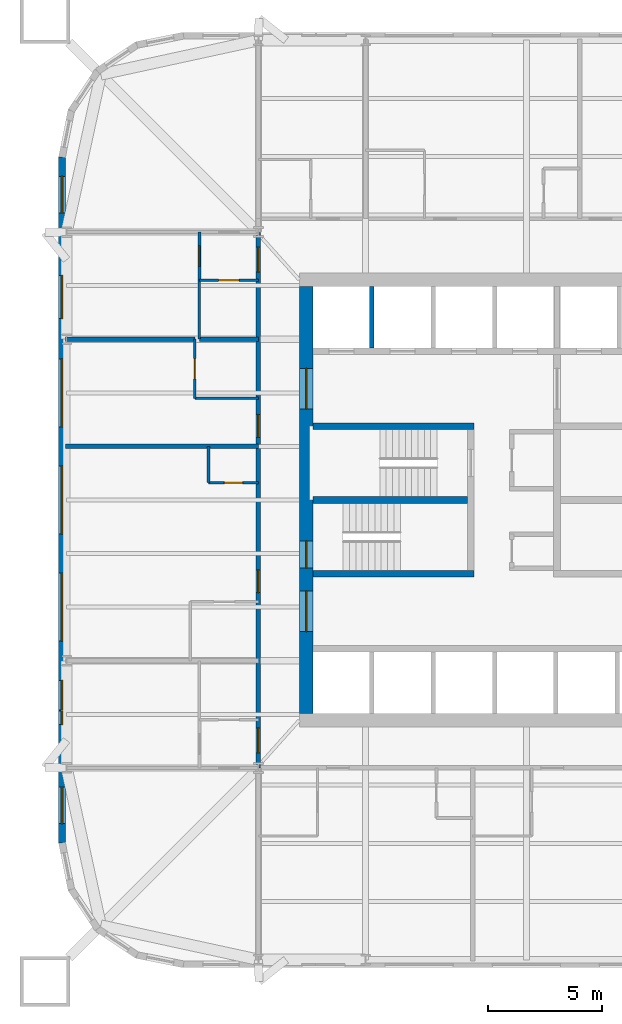
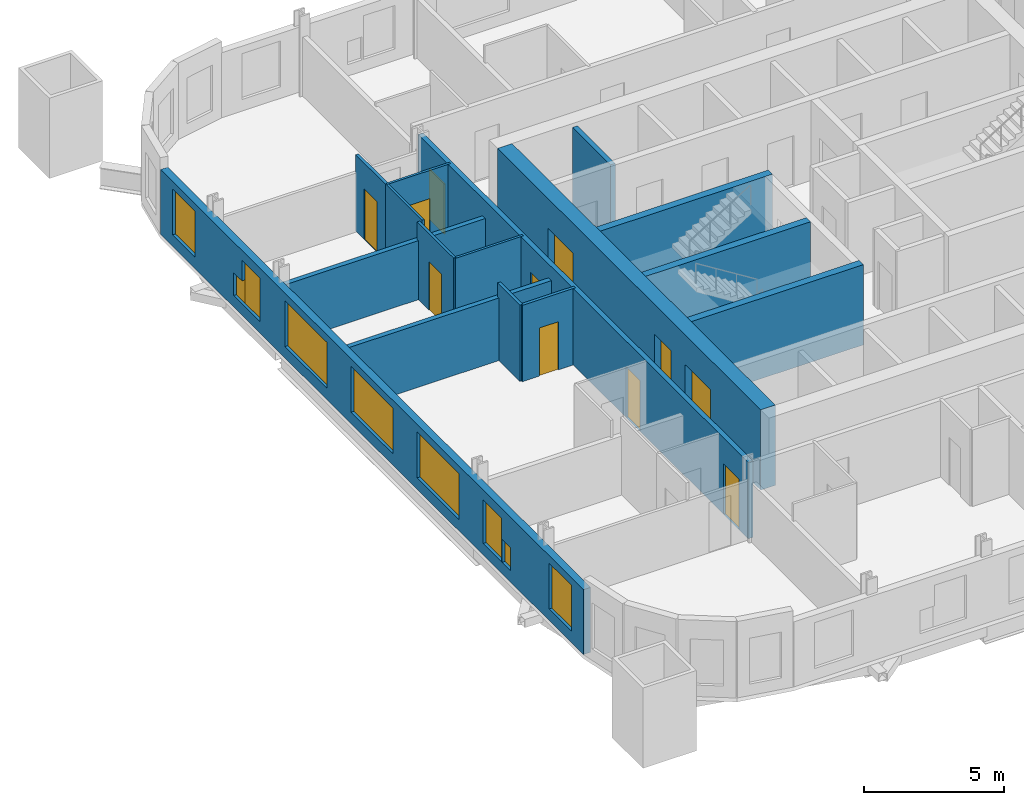
# One storey, part 4 of 9: 17 walls, 11 doors, 9 windows, 20 openings.
"""IFC4 building model written with IfcOpenShell, lengths in metres."""

from ifc_helpers import new_model, si_unit, direction, frame, frame_2d, origin, place, context, subcontext, project, spatial, rectangle, extrude, material, layer, layer_set, type_object, element, fill, save


model = new_model("IFC4")

# Units and contexts
model_context = context("Model", 3, precision=1e-05, world=origin(), true_north=direction((0.0, 1.0)))
body_context = subcontext(model_context, "Body", "Model", "MODEL_VIEW")
ifc_project = project(units=[si_unit("LENGTHUNIT", "METRE"), si_unit("AREAUNIT", "SQUARE_METRE"), si_unit("VOLUMEUNIT", "CUBIC_METRE"), si_unit("PLANEANGLEUNIT", "RADIAN"), si_unit("MASSUNIT", "GRAM", prefix="KILO")], contexts=[model_context])

# Site, building, storey
site_placement = place(None, origin())
site = spatial("IfcSite", under=ifc_project, at=site_placement, CompositionType="ELEMENT")
building_placement = place(site_placement, origin())
building = spatial("IfcBuilding", under=site, at=building_placement, Name="Turquesa Mirador Hotel Tower", CompositionType="ELEMENT")
storey_placement = place(building_placement, frame((0.0, 0.0, 107.39990234375)))
storey = spatial("IfcBuildingStorey", under=building, at=storey_placement, Name="L28", CompositionType="ELEMENT", Elevation=107.39990234375)

# Wall
ifc_material_1 = material(Name="Gypsum board on steel studs", Category="steel")
ifc_layer_1 = layer(ifc_material_1, 0.10009765625)
ifc_layer_set_1 = layer_set([ifc_layer_1], Name="BATHROOM WALL 100")
wall_type_1 = type_object("IfcWallType", Name="BATHROOM WALL 100", PredefinedType="PARTITIONING", material=ifc_layer_set_1)
wall_1_placement = place(storey_placement, frame((40.39990234375, 49.47998046875, 0.0), z_axis=(0.0, 0.0, 1.0), x_axis=(1.0, 0.0, 0.0)))
element("IfcWall", 1, at=wall_1_placement, inside=storey, type_object=wall_type_1, Name="Partition L28 035", PredefinedType="PARTITIONING", context=body_context, shape_type="SweptSolid", body=[
    extrude(rectangle(XDim=2.800048828125, YDim=0.10009765625, at=frame_2d((1.39990234375, 0.0))), origin(), (0.0, 0.0, 1.0), 3.330078125),
])

# Wall, opening, door
wall_2_placement = place(storey_placement, frame((40.60009765625, 54.679931640625, 0.0), z_axis=(0.0, 0.0, 1.0), x_axis=(1.0, 0.0, 0.0)))
wall_2 = element("IfcWall", 2, at=wall_2_placement, inside=storey, type_object=wall_type_1, Name="Partition L28 041", PredefinedType="PARTITIONING", context=body_context, shape_type="SweptSolid", body=[
    extrude(rectangle(XDim=2.599853515625, YDim=0.10009765625, at=frame_2d((1.2998046875, 0.0))), origin(), (0.0, 0.0, 1.0), 3.330078125),
])
opening_1_placement = place(wall_2_placement, frame((0.85009765625, 0.0, 0.0)))
opening_1 = element("IfcOpeningElement", 3, at=opening_1_placement, cuts=wall_2, Name="Opening D02", PredefinedType="OPENING", context=body_context, shape_type="SweptSolid", body=[
    extrude(rectangle(XDim=0.89990234375, YDim=2.10009765625, at=frame_2d((0.449951171875, 1.050048828125))), frame((0.0, 0.06005859375, 0.0), z_axis=(0.0, -1.0, 0.0), x_axis=(1.0, 0.0, 0.0)), (0.0, 0.0, 1.0), 0.1201171875),
])
ifc_material_2 = material(Name="Timber veneered door", Category="wood")
door_type_1 = type_object("IfcDoorType", Name="DOOR 900X2100 EN-SUITE", OperationType="SINGLE_SWING_RIGHT", PredefinedType="DOOR", material=ifc_material_2)
door_1_placement = place(opening_1_placement, origin())
door_1 = element("IfcDoor", 4, at=door_1_placement, inside=storey, type_object=door_type_1, Name="Door 2814B", OperationType="SINGLE_SWING_RIGHT", OverallHeight=2.10009765625, OverallWidth=0.89990234375, PredefinedType="DOOR", context=body_context, shape_type="SweptSolid", body=[
    extrude(rectangle(XDim=0.89990234375, YDim=2.10009765625, at=frame_2d((0.449951171875, 1.050048828125))), frame((0.0, 0.02490234375, 0.0), z_axis=(0.0, -1.0, 0.0), x_axis=(1.0, 0.0, 0.0)), (0.0, 0.0, 1.0), 0.050048828125),
])
fill(opening_1, door_1)

# Wall
wall_3_placement = place(storey_placement, frame((40.60009765625, 52.080078125, 0.0), z_axis=(0.0, 0.0, 1.0), x_axis=(0.0, 1.0, 0.0)))
element("IfcWall", 5, at=wall_3_placement, inside=storey, type_object=wall_type_1, Name="Partition L28 047", PredefinedType="PARTITIONING", context=body_context, shape_type="SweptSolid", body=[
    extrude(rectangle(XDim=2.599853515625, YDim=0.10009765625, at=frame_2d((1.2998046875, 0.0))), origin(), (0.0, 0.0, 1.0), 3.330078125),
])

# Wall, opening, door
wall_4_placement = place(storey_placement, frame((40.39990234375, 49.47998046875, 0.0), z_axis=(0.0, 0.0, 1.0), x_axis=(0.0, 1.0, 0.0)))
wall_4 = element("IfcWall", 6, at=wall_4_placement, inside=storey, type_object=wall_type_1, Name="Partition L28 050", PredefinedType="PARTITIONING", context=body_context, shape_type="SweptSolid", body=[
    extrude(rectangle(XDim=2.60009765625, YDim=0.10009765625, at=frame_2d((1.300048828125, 0.0))), origin(), (0.0, 0.0, 1.0), 3.330078125),
])
opening_2_placement = place(wall_4_placement, frame((0.85009765625, 0.0, 0.0)))
opening_2 = element("IfcOpeningElement", 7, at=opening_2_placement, cuts=wall_4, Name="Opening D02", PredefinedType="OPENING", context=body_context, shape_type="SweptSolid", body=[
    extrude(rectangle(XDim=0.89990234375, YDim=2.10009765625, at=frame_2d((0.449951171875, 1.050048828125))), frame((0.0, 0.06005859375, 0.0), z_axis=(0.0, -1.0, 0.0), x_axis=(1.0, 0.0, 0.0)), (0.0, 0.0, 1.0), 0.1201171875),
])
door_2_placement = place(opening_2_placement, origin())
door_2 = element("IfcDoor", 8, at=door_2_placement, inside=storey, type_object=door_type_1, Name="Door 2812B", OperationType="SINGLE_SWING_RIGHT", OverallHeight=2.10009765625, OverallWidth=0.89990234375, PredefinedType="DOOR", context=body_context, shape_type="SweptSolid", body=[
    extrude(rectangle(XDim=0.89990234375, YDim=2.10009765625, at=frame_2d((0.449951171875, 1.050048828125))), frame((0.0, 0.02490234375, 0.0), z_axis=(0.0, -1.0, 0.0), x_axis=(1.0, 0.0, 0.0)), (0.0, 0.0, 1.0), 0.050048828125),
])
fill(opening_2, door_2)

# Walls
ifc_material_3 = material(Name="Concrete C50/60", Category="concrete")
ifc_layer_2 = layer(ifc_material_3, 0.300048828125)
ifc_layer_set_2 = layer_set([ifc_layer_2], Name="CORE INNER WALL 300")
wall_type_2 = type_object("IfcWallType", Name="CORE INNER WALL 300", PredefinedType="SHEAR", material=ifc_layer_set_2)
for number, where, z_axis, x_axis, name in (
    (9, (45.60009765625, 48.25, 0.0), (0.0, 0.0, 1.0), (1.0, 0.0, 0.0), "Core wall MN-W"),
    (10, (45.60009765625, 41.75, 0.0), (0.0, 0.0, 1.0), (1.0, 0.0, 0.0), "Core wall MS-W"),
):
    element("IfcWall", number, at=place(storey_placement, frame(where, z_axis=z_axis, x_axis=x_axis)), inside=storey, type_object=wall_type_2, Name=name, PredefinedType="SHEAR", context=body_context, shape_type="SweptSolid", body=[
        extrude(rectangle(XDim=7.099853515625, YDim=0.300048828125, at=frame_2d((3.5498046875, 0.0))), origin(), (0.0, 0.0, 1.0), 3.5),
    ])
wall_5_placement = place(storey_placement, frame((45.60009765625, 45.0, 0.0), z_axis=(0.0, 0.0, 1.0), x_axis=(1.0, 0.0, 0.0)))
element("IfcWall", 11, at=wall_5_placement, inside=storey, type_object=wall_type_2, Name="Core wall M0-W", PredefinedType="SHEAR", context=body_context, shape_type="SweptSolid", body=[
    extrude(rectangle(XDim=6.7998046875, YDim=0.300048828125, at=frame_2d((3.39990234375, 0.0))), origin(), (0.0, 0.0, 1.0), 3.5),
])

# Wall, openings, doors
ifc_material_4 = material(Name="Concrete C50/60", Category="concrete")
ifc_layer_3 = layer(ifc_material_4, 0.60009765625)
ifc_layer_set_3 = layer_set([ifc_layer_3], Name="CORE WALL 600")
wall_type_3 = type_object("IfcWallType", Name="CORE WALL 600", PredefinedType="SHEAR", material=ifc_layer_set_3)
wall_6_placement = place(storey_placement, frame((45.300048828125, 35.60009765625, 0.0), z_axis=(0.0, 0.0, 1.0), x_axis=(0.0, 1.0, 0.0)))
wall_6 = element("IfcWall", 12, at=wall_6_placement, inside=storey, type_object=wall_type_3, Name="Core wall W", PredefinedType="SHEAR", context=body_context, shape_type="SweptSolid", body=[
    extrude(rectangle(XDim=18.7998046875, YDim=0.60009765625, at=frame_2d((9.39990234375, 0.0))), origin(), (0.0, 0.0, 1.0), 3.5),
])
opening_3_placement = place(wall_6_placement, frame((13.39990234375, 0.0, 0.0)))
opening_3 = element("IfcOpeningElement", 13, at=opening_3_placement, cuts=wall_6, Name="Opening D04", PredefinedType="OPENING", context=body_context, shape_type="SweptSolid", body=[
    extrude(rectangle(XDim=1.800048828125, YDim=2.199951171875, at=frame_2d((0.89990234375, 1.10009765625))), frame((0.0, 0.31005859375, 0.0), z_axis=(0.0, -1.0, 0.0), x_axis=(1.0, 0.0, 0.0)), (0.0, 0.0, 1.0), 0.6201171875),
])
opening_4_placement = place(wall_6_placement, frame((3.60009765625, 0.0, 0.0)))
opening_4 = element("IfcOpeningElement", 14, at=opening_4_placement, cuts=wall_6, Name="Opening D04", PredefinedType="OPENING", context=body_context, shape_type="SweptSolid", body=[
    extrude(rectangle(XDim=1.800048828125, YDim=2.199951171875, at=frame_2d((0.89990234375, 1.10009765625))), frame((0.0, 0.31005859375, 0.0), z_axis=(0.0, -1.0, 0.0), x_axis=(1.0, 0.0, 0.0)), (0.0, 0.0, 1.0), 0.6201171875),
])
opening_5_placement = place(wall_6_placement, frame((6.39990234375, 0.0, 0.0)))
opening_5 = element("IfcOpeningElement", 15, at=opening_5_placement, cuts=wall_6, Name="Opening D03", PredefinedType="OPENING", context=body_context, shape_type="SweptSolid", body=[
    extrude(rectangle(XDim=1.199951171875, YDim=2.199951171875, at=frame_2d((0.60009765625, 1.10009765625))), frame((0.0, 0.31005859375, 0.0), z_axis=(0.0, -1.0, 0.0), x_axis=(1.0, 0.0, 0.0)), (0.0, 0.0, 1.0), 0.6201171875),
])
ifc_material_5 = material(Name="Steel fire door", Category="steel")
door_type_2 = type_object("IfcDoorType", Name="DOOR 1200X2200 STAIR", OperationType="SINGLE_SWING_LEFT", PredefinedType="DOOR", material=ifc_material_5)
door_3_placement = place(opening_5_placement, origin())
door_3 = element("IfcDoor", 16, at=door_3_placement, inside=storey, type_object=door_type_2, Name="Stair ST2 door", OperationType="SINGLE_SWING_LEFT", OverallHeight=2.199951171875, OverallWidth=1.199951171875, PredefinedType="DOOR", context=body_context, shape_type="SweptSolid", body=[
    extrude(rectangle(XDim=1.199951171875, YDim=2.199951171875, at=frame_2d((0.60009765625, 1.10009765625))), frame((0.0, 0.02490234375, 0.0), z_axis=(0.0, -1.0, 0.0), x_axis=(1.0, 0.0, 0.0)), (0.0, 0.0, 1.0), 0.050048828125),
])
fill(opening_5, door_3)
ifc_material_6 = material(Name="Steel fire door pair", Category="steel")
door_type_3 = type_object("IfcDoorType", Name="DOOR 1800X2200 PAIR", OperationType="DOUBLE_DOOR_SINGLE_SWING", PredefinedType="DOOR", material=ifc_material_6)
door_4_placement = place(opening_3_placement, origin())
door_4 = element("IfcDoor", 17, at=door_4_placement, inside=storey, type_object=door_type_3, Name="North lift lobby door", OperationType="DOUBLE_DOOR_SINGLE_SWING", OverallHeight=2.199951171875, OverallWidth=1.800048828125, PredefinedType="DOOR", context=body_context, shape_type="SweptSolid", body=[
    extrude(rectangle(XDim=1.800048828125, YDim=2.199951171875, at=frame_2d((0.89990234375, 1.10009765625))), frame((0.0, 0.02490234375, 0.0), z_axis=(0.0, -1.0, 0.0), x_axis=(1.0, 0.0, 0.0)), (0.0, 0.0, 1.0), 0.050048828125),
])
fill(opening_3, door_4)
door_5_placement = place(opening_4_placement, origin())
door_5 = element("IfcDoor", 18, at=door_5_placement, inside=storey, type_object=door_type_3, Name="South lift lobby door", OperationType="DOUBLE_DOOR_SINGLE_SWING", OverallHeight=2.199951171875, OverallWidth=1.800048828125, PredefinedType="DOOR", context=body_context, shape_type="SweptSolid", body=[
    extrude(rectangle(XDim=1.800048828125, YDim=2.199951171875, at=frame_2d((0.89990234375, 1.10009765625))), frame((0.0, 0.02490234375, 0.0), z_axis=(0.0, -1.0, 0.0), x_axis=(1.0, 0.0, 0.0)), (0.0, 0.0, 1.0), 0.050048828125),
])
fill(opening_4, door_5)

ifc_material_7 = material(Name="Fire-rated gypsum board on steel studs", Category="steel")
ifc_layer_4 = layer(ifc_material_7, 0.199951171875)
ifc_layer_set_4 = layer_set([ifc_layer_4], Name="CORRIDOR WALL 200")
wall_type_4 = type_object("IfcWallType", Name="CORRIDOR WALL 200", PredefinedType="PARTITIONING", material=ifc_layer_set_4)
wall_7_placement = place(storey_placement, frame((43.199951171875, 33.199951171875, 0.0), z_axis=(0.0, 0.0, 1.0), x_axis=(0.0, 1.0, 0.0)))
wall_7 = element("IfcWall", 19, at=wall_7_placement, inside=storey, type_object=wall_type_4, Name="Partition L28 042", PredefinedType="PARTITIONING", context=body_context, shape_type="SweptSolid", body=[
    extrude(rectangle(XDim=23.580078125, YDim=0.199951171875, at=frame_2d((11.7900390625, 0.0))), origin(), (0.0, 0.0, 1.0), 3.330078125),
])
opening_6_placement = place(wall_7_placement, frame((7.719970703125, 0.0, 0.0)))
opening_6 = element("IfcOpeningElement", 20, at=opening_6_placement, cuts=wall_7, Name="Opening D01", PredefinedType="OPENING", context=body_context, shape_type="SweptSolid", body=[
    extrude(rectangle(XDim=1.0, YDim=2.199951171875, at=frame_2d((0.5, 1.10009765625))), frame((0.0, 0.10986328125, 0.0), z_axis=(0.0, -1.0, 0.0), x_axis=(1.0, 0.0, 0.0)), (0.0, 0.0, 1.0), 0.219970703125),
])
opening_7_placement = place(wall_7_placement, frame((14.56005859375, 0.0, 0.0)))
opening_7 = element("IfcOpeningElement", 21, at=opening_7_placement, cuts=wall_7, Name="Opening D01", PredefinedType="OPENING", context=body_context, shape_type="SweptSolid", body=[
    extrude(rectangle(XDim=1.0, YDim=2.199951171875, at=frame_2d((0.5, 1.10009765625))), frame((0.0, 0.10986328125, 0.0), z_axis=(0.0, -1.0, 0.0), x_axis=(1.0, 0.0, 0.0)), (0.0, 0.0, 1.0), 0.219970703125),
])
opening_8_placement = place(wall_7_placement, frame((21.840087890625, 0.0, 0.0)))
opening_8 = element("IfcOpeningElement", 22, at=opening_8_placement, cuts=wall_7, Name="Opening D15", PredefinedType="OPENING", context=body_context, shape_type="SweptSolid", body=[
    extrude(rectangle(XDim=1.10009765625, YDim=2.199951171875, at=frame_2d((0.550048828125, 1.10009765625))), frame((0.0, 0.10986328125, 0.0), z_axis=(0.0, -1.0, 0.0), x_axis=(1.0, 0.0, 0.0)), (0.0, 0.0, 1.0), 0.219970703125),
])
opening_9_placement = place(wall_7_placement, frame((0.659912109375, 0.0, 0.0)))
opening_9 = element("IfcOpeningElement", 23, at=opening_9_placement, cuts=wall_7, Name="Opening D15", PredefinedType="OPENING", context=body_context, shape_type="SweptSolid", body=[
    extrude(rectangle(XDim=1.10009765625, YDim=2.199951171875, at=frame_2d((0.550048828125, 1.10009765625))), frame((0.0, 0.10986328125, 0.0), z_axis=(0.0, -1.0, 0.0), x_axis=(1.0, 0.0, 0.0)), (0.0, 0.0, 1.0), 0.219970703125),
])
ifc_material_8 = material(Name="Timber veneered fire door", Category="wood")
door_type_4 = type_object("IfcDoorType", Name="DOOR 1000X2200 GUEST ENTRY", OperationType="SINGLE_SWING_LEFT", PredefinedType="DOOR", material=ifc_material_8)
door_6_placement = place(opening_6_placement, origin())
door_6 = element("IfcDoor", 24, at=door_6_placement, inside=storey, type_object=door_type_4, Name="Door 2811", OperationType="SINGLE_SWING_LEFT", OverallHeight=2.199951171875, OverallWidth=1.0, PredefinedType="DOOR", context=body_context, shape_type="SweptSolid", body=[
    extrude(rectangle(XDim=1.0, YDim=2.199951171875, at=frame_2d((0.5, 1.10009765625))), frame((0.0, 0.02490234375, 0.0), z_axis=(0.0, -1.0, 0.0), x_axis=(1.0, 0.0, 0.0)), (0.0, 0.0, 1.0), 0.050048828125),
])
fill(opening_6, door_6)
door_7_placement = place(opening_7_placement, origin())
door_7 = element("IfcDoor", 25, at=door_7_placement, inside=storey, type_object=door_type_4, Name="Door 2812", OperationType="SINGLE_SWING_LEFT", OverallHeight=2.199951171875, OverallWidth=1.0, PredefinedType="DOOR", context=body_context, shape_type="SweptSolid", body=[
    extrude(rectangle(XDim=1.0, YDim=2.199951171875, at=frame_2d((0.5, 1.10009765625))), frame((0.0, 0.02490234375, 0.0), z_axis=(0.0, -1.0, 0.0), x_axis=(1.0, 0.0, 0.0)), (0.0, 0.0, 1.0), 0.050048828125),
])
fill(opening_7, door_7)
ifc_material_9 = material(Name="Timber veneered fire door", Category="wood")
door_type_5 = type_object("IfcDoorType", Name="DOOR 1100X2200 SUITE ENTRY", OperationType="SINGLE_SWING_LEFT", PredefinedType="DOOR", material=ifc_material_9)
door_8_placement = place(opening_8_placement, origin())
door_8 = element("IfcDoor", 26, at=door_8_placement, inside=storey, type_object=door_type_5, Name="Door 2814H", OperationType="SINGLE_SWING_LEFT", OverallHeight=2.199951171875, OverallWidth=1.10009765625, PredefinedType="DOOR", context=body_context, shape_type="SweptSolid", body=[
    extrude(rectangle(XDim=1.10009765625, YDim=2.199951171875, at=frame_2d((0.550048828125, 1.10009765625))), frame((0.0, 0.02490234375, 0.0), z_axis=(0.0, -1.0, 0.0), x_axis=(1.0, 0.0, 0.0)), (0.0, 0.0, 1.0), 0.050048828125),
])
fill(opening_8, door_8)
door_9_placement = place(opening_9_placement, origin())
door_9 = element("IfcDoor", 27, at=door_9_placement, inside=storey, type_object=door_type_5, Name="Door 2815H", OperationType="SINGLE_SWING_LEFT", OverallHeight=2.199951171875, OverallWidth=1.10009765625, PredefinedType="DOOR", context=body_context, shape_type="SweptSolid", body=[
    extrude(rectangle(XDim=1.10009765625, YDim=2.199951171875, at=frame_2d((0.550048828125, 1.10009765625))), frame((0.0, 0.02490234375, 0.0), z_axis=(0.0, -1.0, 0.0), x_axis=(1.0, 0.0, 0.0)), (0.0, 0.0, 1.0), 0.050048828125),
])
fill(opening_9, door_9)

# Wall, openings, windows
ifc_material_10 = material(Name="Limestone cladding on concrete block", Category="masonry")
ifc_layer_5 = layer(ifc_material_10, 0.300048828125)
ifc_layer_set_5 = layer_set([ifc_layer_5], Name="FACADE WALL 300 STONE SCREEN")
wall_type_5 = type_object("IfcWallType", Name="FACADE WALL 300 STONE SCREEN", PredefinedType="SOLIDWALL", material=ifc_layer_set_5)
wall_8_placement = place(storey_placement, frame((34.550048828125, 60.10009765625, 0.0), z_axis=(0.0, 0.0, 1.0), x_axis=(0.0, -1.0, 0.0)))
wall_8 = element("IfcWall", 28, at=wall_8_placement, inside=storey, type_object=wall_type_5, Name="Facade wall L28 14", PredefinedType="SOLIDWALL", context=body_context, shape_type="SweptSolid", body=[
    extrude(rectangle(XDim=30.2001953125, YDim=0.300048828125, at=frame_2d((15.10009765625, 0.0))), origin(), (0.0, 0.0, 1.0), 2.830078125),
])
opening_10_placement = place(wall_8_placement, frame((0.85009765625, 0.0, 0.5)))
opening_10 = element("IfcOpeningElement", 29, at=opening_10_placement, cuts=wall_8, Name="Opening WN3", PredefinedType="OPENING", context=body_context, shape_type="SweptSolid", body=[
    extrude(rectangle(XDim=1.60009765625, YDim=2.0, at=frame_2d((0.800048828125, 1.0))), frame((0.0, 0.159912109375, 0.0), z_axis=(0.0, -1.0, 0.0), x_axis=(1.0, 0.0, 0.0)), (0.0, 0.0, 1.0), 0.320068359375),
])
opening_11_placement = place(wall_8_placement, frame((5.81005859375, 0.0, 0.5)))
opening_11 = element("IfcOpeningElement", 30, at=opening_11_placement, cuts=wall_8, Name="Opening WN27", PredefinedType="OPENING", context=body_context, shape_type="SweptSolid", body=[
    extrude(rectangle(XDim=1.300048828125, YDim=1.89990234375, at=frame_2d((0.64990234375, 0.949951171875))), frame((0.0, 0.159912109375, 0.0), z_axis=(0.0, -1.0, 0.0), x_axis=(1.0, 0.0, 0.0)), (0.0, 0.0, 1.0), 0.320068359375),
])
opening_12_placement = place(wall_8_placement, frame((8.8798828125, 0.0, 0.5)))
opening_12 = element("IfcOpeningElement", 31, at=opening_12_placement, cuts=wall_8, Name="Opening WN1", PredefinedType="OPENING", context=body_context, shape_type="SweptSolid", body=[
    extrude(rectangle(XDim=3.0, YDim=2.0, at=frame_2d((1.5, 1.0))), frame((0.0, 0.159912109375, 0.0), z_axis=(0.0, -1.0, 0.0), x_axis=(1.0, 0.0, 0.0)), (0.0, 0.0, 1.0), 0.320068359375),
])
opening_13_placement = place(wall_8_placement, frame((13.60009765625, 0.0, 0.5)))
opening_13 = element("IfcOpeningElement", 32, at=opening_13_placement, cuts=wall_8, Name="Opening WN1", PredefinedType="OPENING", context=body_context, shape_type="SweptSolid", body=[
    extrude(rectangle(XDim=3.0, YDim=2.0, at=frame_2d((1.5, 1.0))), frame((0.0, 0.159912109375, 0.0), z_axis=(0.0, -1.0, 0.0), x_axis=(1.0, 0.0, 0.0)), (0.0, 0.0, 1.0), 0.320068359375),
])
opening_14_placement = place(wall_8_placement, frame((18.320068359375, 0.0, 0.5)))
opening_14 = element("IfcOpeningElement", 33, at=opening_14_placement, cuts=wall_8, Name="Opening WN1", PredefinedType="OPENING", context=body_context, shape_type="SweptSolid", body=[
    extrude(rectangle(XDim=3.0, YDim=2.0, at=frame_2d((1.5, 1.0))), frame((0.0, 0.159912109375, 0.0), z_axis=(0.0, -1.0, 0.0), x_axis=(1.0, 0.0, 0.0)), (0.0, 0.0, 1.0), 0.320068359375),
])
opening_15_placement = place(wall_8_placement, frame((23.0400390625, 0.0, 0.5)))
opening_15 = element("IfcOpeningElement", 34, at=opening_15_placement, cuts=wall_8, Name="Opening WN27", PredefinedType="OPENING", context=body_context, shape_type="SweptSolid", body=[
    extrude(rectangle(XDim=1.300048828125, YDim=1.89990234375, at=frame_2d((0.64990234375, 0.949951171875))), frame((0.0, 0.159912109375, 0.0), z_axis=(0.0, -1.0, 0.0), x_axis=(1.0, 0.0, 0.0)), (0.0, 0.0, 1.0), 0.320068359375),
])
opening_16_placement = place(wall_8_placement, frame((27.75, 0.0, 0.5)))
opening_16 = element("IfcOpeningElement", 35, at=opening_16_placement, cuts=wall_8, Name="Opening WN3", PredefinedType="OPENING", context=body_context, shape_type="SweptSolid", body=[
    extrude(rectangle(XDim=1.60009765625, YDim=2.0, at=frame_2d((0.800048828125, 1.0))), frame((0.0, 0.159912109375, 0.0), z_axis=(0.0, -1.0, 0.0), x_axis=(1.0, 0.0, 0.0)), (0.0, 0.0, 1.0), 0.320068359375),
])
opening_17_placement = place(wall_8_placement, frame((5.2099609375, 0.0, 0.5)))
opening_17 = element("IfcOpeningElement", 36, at=opening_17_placement, cuts=wall_8, Name="Opening WN29", PredefinedType="OPENING", context=body_context, shape_type="SweptSolid", body=[
    extrude(rectangle(XDim=0.60009765625, YDim=1.0, at=frame_2d((0.300048828125, 0.5))), frame((0.0, 0.159912109375, 0.0), z_axis=(0.0, -1.0, 0.0), x_axis=(1.0, 0.0, 0.0)), (0.0, 0.0, 1.0), 0.320068359375),
])
opening_18_placement = place(wall_8_placement, frame((24.389892578125, 0.0, 0.5)))
opening_18 = element("IfcOpeningElement", 37, at=opening_18_placement, cuts=wall_8, Name="Opening WN29", PredefinedType="OPENING", context=body_context, shape_type="SweptSolid", body=[
    extrude(rectangle(XDim=0.60009765625, YDim=1.0, at=frame_2d((0.300048828125, 0.5))), frame((0.0, 0.159912109375, 0.0), z_axis=(0.0, -1.0, 0.0), x_axis=(1.0, 0.0, 0.0)), (0.0, 0.0, 1.0), 0.320068359375),
])
ifc_material_11 = material(Name="Ceramic-fritted laminated glass", Category="glass")
window_type_1 = type_object("IfcWindowType", Name="FRITTED WINDOW 1300X1900", PartitioningType="DOUBLE_PANEL_HORIZONTAL", PredefinedType="WINDOW", material=ifc_material_11)
window_1_placement = place(opening_11_placement, origin())
window_1 = element("IfcWindow", 38, at=window_1_placement, inside=storey, type_object=window_type_1, Name="Window L28", OverallHeight=1.89990234375, OverallWidth=1.300048828125, PartitioningType="SINGLE_PANEL", PredefinedType="WINDOW", context=body_context, shape_type="SweptSolid", body=[
    extrude(rectangle(XDim=1.300048828125, YDim=1.89990234375, at=frame_2d((0.64990234375, 0.949951171875))), frame((0.0, 0.030029296875, 0.0), z_axis=(0.0, -1.0, 0.0), x_axis=(1.0, 0.0, 0.0)), (0.0, 0.0, 1.0), 0.06005859375),
])
fill(opening_11, window_1)
window_2_placement = place(opening_15_placement, origin())
window_2 = element("IfcWindow", 39, at=window_2_placement, inside=storey, type_object=window_type_1, Name="Window L28", OverallHeight=1.89990234375, OverallWidth=1.300048828125, PartitioningType="SINGLE_PANEL", PredefinedType="WINDOW", context=body_context, shape_type="SweptSolid", body=[
    extrude(rectangle(XDim=1.300048828125, YDim=1.89990234375, at=frame_2d((0.64990234375, 0.949951171875))), frame((0.0, 0.030029296875, 0.0), z_axis=(0.0, -1.0, 0.0), x_axis=(1.0, 0.0, 0.0)), (0.0, 0.0, 1.0), 0.06005859375),
])
fill(opening_15, window_2)
ifc_material_12 = material(Name="Ceramic-fritted laminated glass", Category="glass")
window_type_2 = type_object("IfcWindowType", Name="FRITTED WINDOW 1600X2000", PartitioningType="DOUBLE_PANEL_HORIZONTAL", PredefinedType="WINDOW", material=ifc_material_12)
window_3_placement = place(opening_10_placement, origin())
window_3 = element("IfcWindow", 40, at=window_3_placement, inside=storey, type_object=window_type_2, Name="Window L28", OverallHeight=2.0, OverallWidth=1.60009765625, PartitioningType="SINGLE_PANEL", PredefinedType="WINDOW", context=body_context, shape_type="SweptSolid", body=[
    extrude(rectangle(XDim=1.60009765625, YDim=2.0, at=frame_2d((0.800048828125, 1.0))), frame((0.0, 0.030029296875, 0.0), z_axis=(0.0, -1.0, 0.0), x_axis=(1.0, 0.0, 0.0)), (0.0, 0.0, 1.0), 0.06005859375),
])
fill(opening_10, window_3)
window_4_placement = place(opening_16_placement, origin())
window_4 = element("IfcWindow", 41, at=window_4_placement, inside=storey, type_object=window_type_2, Name="Window L28", OverallHeight=2.0, OverallWidth=1.60009765625, PartitioningType="SINGLE_PANEL", PredefinedType="WINDOW", context=body_context, shape_type="SweptSolid", body=[
    extrude(rectangle(XDim=1.60009765625, YDim=2.0, at=frame_2d((0.800048828125, 1.0))), frame((0.0, 0.030029296875, 0.0), z_axis=(0.0, -1.0, 0.0), x_axis=(1.0, 0.0, 0.0)), (0.0, 0.0, 1.0), 0.06005859375),
])
fill(opening_16, window_4)
ifc_material_13 = material(Name="Ceramic-fritted laminated glass", Category="glass")
window_type_3 = type_object("IfcWindowType", Name="FRITTED WINDOW 3000X2000", PartitioningType="DOUBLE_PANEL_HORIZONTAL", PredefinedType="WINDOW", material=ifc_material_13)
window_5_placement = place(opening_12_placement, origin())
window_5 = element("IfcWindow", 42, at=window_5_placement, inside=storey, type_object=window_type_3, Name="Window L28", OverallHeight=2.0, OverallWidth=3.0, PartitioningType="SINGLE_PANEL", PredefinedType="WINDOW", context=body_context, shape_type="SweptSolid", body=[
    extrude(rectangle(XDim=3.0, YDim=2.0, at=frame_2d((1.5, 1.0))), frame((0.0, 0.030029296875, 0.0), z_axis=(0.0, -1.0, 0.0), x_axis=(1.0, 0.0, 0.0)), (0.0, 0.0, 1.0), 0.06005859375),
])
fill(opening_12, window_5)
window_6_placement = place(opening_13_placement, origin())
window_6 = element("IfcWindow", 43, at=window_6_placement, inside=storey, type_object=window_type_3, Name="Window L28", OverallHeight=2.0, OverallWidth=3.0, PartitioningType="SINGLE_PANEL", PredefinedType="WINDOW", context=body_context, shape_type="SweptSolid", body=[
    extrude(rectangle(XDim=3.0, YDim=2.0, at=frame_2d((1.5, 1.0))), frame((0.0, 0.030029296875, 0.0), z_axis=(0.0, -1.0, 0.0), x_axis=(1.0, 0.0, 0.0)), (0.0, 0.0, 1.0), 0.06005859375),
])
fill(opening_13, window_6)
window_7_placement = place(opening_14_placement, origin())
window_7 = element("IfcWindow", 44, at=window_7_placement, inside=storey, type_object=window_type_3, Name="Window L28", OverallHeight=2.0, OverallWidth=3.0, PartitioningType="SINGLE_PANEL", PredefinedType="WINDOW", context=body_context, shape_type="SweptSolid", body=[
    extrude(rectangle(XDim=3.0, YDim=2.0, at=frame_2d((1.5, 1.0))), frame((0.0, 0.030029296875, 0.0), z_axis=(0.0, -1.0, 0.0), x_axis=(1.0, 0.0, 0.0)), (0.0, 0.0, 1.0), 0.06005859375),
])
fill(opening_14, window_7)
ifc_material_14 = material(Name="Ceramic-fritted laminated glass", Category="glass")
window_type_4 = type_object("IfcWindowType", Name="FRITTED WINDOW 600X1000", PartitioningType="DOUBLE_PANEL_HORIZONTAL", PredefinedType="WINDOW", material=ifc_material_14)
window_8_placement = place(opening_17_placement, origin())
window_8 = element("IfcWindow", 45, at=window_8_placement, inside=storey, type_object=window_type_4, Name="Window L28", OverallHeight=1.0, OverallWidth=0.60009765625, PartitioningType="SINGLE_PANEL", PredefinedType="WINDOW", context=body_context, shape_type="SweptSolid", body=[
    extrude(rectangle(XDim=0.60009765625, YDim=1.0, at=frame_2d((0.300048828125, 0.5))), frame((0.0, 0.030029296875, 0.0), z_axis=(0.0, -1.0, 0.0), x_axis=(1.0, 0.0, 0.0)), (0.0, 0.0, 1.0), 0.06005859375),
])
fill(opening_17, window_8)
window_9_placement = place(opening_18_placement, origin())
window_9 = element("IfcWindow", 46, at=window_9_placement, inside=storey, type_object=window_type_4, Name="Window L28", OverallHeight=1.0, OverallWidth=0.60009765625, PartitioningType="SINGLE_PANEL", PredefinedType="WINDOW", context=body_context, shape_type="SweptSolid", body=[
    extrude(rectangle(XDim=0.60009765625, YDim=1.0, at=frame_2d((0.300048828125, 0.5))), frame((0.0, 0.030029296875, 0.0), z_axis=(0.0, -1.0, 0.0), x_axis=(1.0, 0.0, 0.0)), (0.0, 0.0, 1.0), 0.06005859375),
])
fill(opening_18, window_9)

# Walls
ifc_material_15 = material(Name="Fire-rated gypsum shaft wall on steel studs", Category="steel")
ifc_layer_6 = layer(ifc_material_15, 0.199951171875)
ifc_layer_set_6 = layer_set([ifc_layer_6], Name="LIFT SHAFT DIVIDER 200")
wall_type_6 = type_object("IfcWallType", Name="LIFT SHAFT DIVIDER 200", PredefinedType="PARTITIONING", material=ifc_layer_set_6)
wall_9_placement = place(storey_placement, frame((48.199951171875, 51.699951171875, 0.0), z_axis=(0.0, 0.0, 1.0), x_axis=(0.0, 1.0, 0.0)))
element("IfcWall", 47, at=wall_9_placement, inside=storey, type_object=wall_type_6, Name="Lift shaft divider", PredefinedType="PARTITIONING", context=body_context, shape_type="SweptSolid", body=[
    extrude(rectangle(XDim=2.699951171875, YDim=0.199951171875, at=frame_2d((1.35009765625, 0.0))), origin(), (0.0, 0.0, 1.0), 3.330078125),
])
ifc_material_16 = material(Name="Fire-rated gypsum board on steel studs", Category="steel")
ifc_layer_7 = layer(ifc_material_16, 0.199951171875)
ifc_layer_set_7 = layer_set([ifc_layer_7], Name="PARTY WALL 200")
wall_type_7 = type_object("IfcWallType", Name="PARTY WALL 200", PredefinedType="PARTITIONING", material=ifc_layer_set_7)
wall_10_placement = place(storey_placement, frame((34.699951171875, 47.360107421875, 0.0), z_axis=(0.0, 0.0, 1.0), x_axis=(1.0, 0.0, 0.0)))
element("IfcWall", 48, at=wall_10_placement, inside=storey, type_object=wall_type_7, Name="Partition L28 032", PredefinedType="PARTITIONING", context=body_context, shape_type="SweptSolid", body=[
    extrude(rectangle(XDim=8.5, YDim=0.199951171875, at=frame_2d((4.25, 0.0))), origin(), (0.0, 0.0, 1.0), 2.730712890625),
])
wall_11_placement = place(storey_placement, frame((34.699951171875, 52.080078125, 0.0), z_axis=(0.0, 0.0, 1.0), x_axis=(1.0, 0.0, 0.0)))
element("IfcWall", 49, at=wall_11_placement, inside=storey, type_object=wall_type_7, Name="Partition L28 037", PredefinedType="PARTITIONING", context=body_context, shape_type="SweptSolid", body=[
    extrude(rectangle(XDim=5.699951171875, YDim=0.199951171875, at=frame_2d((2.85009765625, 0.0))), origin(), (0.0, 0.0, 1.0), 2.5732421875),
])
wall_12_placement = place(storey_placement, frame((40.60009765625, 52.080078125, 0.0), z_axis=(0.0, 0.0, 1.0), x_axis=(1.0, 0.0, 0.0)))
element("IfcWall", 50, at=wall_12_placement, inside=storey, type_object=wall_type_7, Name="Partition L28 038", PredefinedType="PARTITIONING", context=body_context, shape_type="SweptSolid", body=[
    extrude(rectangle(XDim=2.599853515625, YDim=0.199951171875, at=frame_2d((1.2998046875, 0.0))), origin(), (0.0, 0.0, 1.0), 2.5732421875),
])

# Wall, opening, door
ifc_material_17 = material(Name="Acoustic gypsum board on steel studs", Category="steel")
ifc_layer_8 = layer(ifc_material_17, 0.125)
ifc_layer_set_8 = layer_set([ifc_layer_8], Name="SUITE PARTITION 125")
wall_type_8 = type_object("IfcWallType", Name="SUITE PARTITION 125", PredefinedType="PARTITIONING", material=ifc_layer_set_8)
wall_13_placement = place(storey_placement, frame((41.0, 45.760009765625, 0.0), z_axis=(0.0, 0.0, 1.0), x_axis=(1.0, 0.0, 0.0)))
wall_13 = element("IfcWall", 51, at=wall_13_placement, inside=storey, type_object=wall_type_8, Name="Partition L28 020", PredefinedType="PARTITIONING", context=body_context, shape_type="SweptSolid", body=[
    extrude(rectangle(XDim=2.199951171875, YDim=0.125, at=frame_2d((1.10009765625, 0.0))), origin(), (0.0, 0.0, 1.0), 3.330078125),
])
opening_19_placement = place(wall_13_placement, frame((0.699951171875, 0.0, 0.0)))
opening_19 = element("IfcOpeningElement", 52, at=opening_19_placement, cuts=wall_13, Name="Opening D20", PredefinedType="OPENING", context=body_context, shape_type="SweptSolid", body=[
    extrude(rectangle(XDim=0.800048828125, YDim=2.10009765625, at=frame_2d((0.39990234375, 1.050048828125))), frame((0.0, 0.072509765625, 0.0), z_axis=(0.0, -1.0, 0.0), x_axis=(1.0, 0.0, 0.0)), (0.0, 0.0, 1.0), 0.14501953125),
])
ifc_material_18 = material(Name="Timber veneered sliding door", Category="wood")
door_type_6 = type_object("IfcDoorType", Name="DOOR 800X2100 WARDROBE", OperationType="SLIDING_TO_LEFT", PredefinedType="DOOR", material=ifc_material_18)
door_10_placement = place(opening_19_placement, origin())
door_10 = element("IfcDoor", 53, at=door_10_placement, inside=storey, type_object=door_type_6, Name="Door 2811W", OperationType="SLIDING_TO_LEFT", OverallHeight=2.10009765625, OverallWidth=0.800048828125, PredefinedType="DOOR", context=body_context, shape_type="SweptSolid", body=[
    extrude(rectangle(XDim=0.800048828125, YDim=2.10009765625, at=frame_2d((0.39990234375, 1.050048828125))), frame((0.0, 0.02490234375, 0.0), z_axis=(0.0, -1.0, 0.0), x_axis=(1.0, 0.0, 0.0)), (0.0, 0.0, 1.0), 0.050048828125),
])
fill(opening_19, door_10)

# Wall
wall_14_placement = place(storey_placement, frame((41.0, 45.760009765625, 0.0), z_axis=(0.0, 0.0, 1.0), x_axis=(0.0, 1.0, 0.0)))
element("IfcWall", 54, at=wall_14_placement, inside=storey, type_object=wall_type_8, Name="Partition L28 045", PredefinedType="PARTITIONING", context=body_context, shape_type="SweptSolid", body=[
    extrude(rectangle(XDim=1.60009765625, YDim=0.125, at=frame_2d((0.800048828125, 0.0))), origin(), (0.0, 0.0, 1.0), 3.330078125),
])

# Wall, opening, door
wall_15_placement = place(storey_placement, frame((40.60009765625, 54.679931640625, 0.0), z_axis=(0.0, 0.0, 1.0), x_axis=(0.0, 1.0, 0.0)))
wall_15 = element("IfcWall", 55, at=wall_15_placement, inside=storey, type_object=wall_type_8, Name="Partition L28 049", PredefinedType="PARTITIONING", context=body_context, shape_type="SweptSolid", body=[
    extrude(rectangle(XDim=2.1201171875, YDim=0.125, at=frame_2d((1.06005859375, 0.0))), origin(), (0.0, 0.0, 1.0), 3.330078125),
])
opening_20_placement = place(wall_15_placement, frame((0.610107421875, 0.0, 0.0)))
opening_20 = element("IfcOpeningElement", 56, at=opening_20_placement, cuts=wall_15, Name="Opening D17", PredefinedType="OPENING", context=body_context, shape_type="SweptSolid", body=[
    extrude(rectangle(XDim=0.89990234375, YDim=2.199951171875, at=frame_2d((0.449951171875, 1.10009765625))), frame((0.0, 0.072509765625, 0.0), z_axis=(0.0, -1.0, 0.0), x_axis=(1.0, 0.0, 0.0)), (0.0, 0.0, 1.0), 0.14501953125),
])
ifc_material_19 = material(Name="Timber veneered door", Category="wood")
door_type_7 = type_object("IfcDoorType", Name="DOOR 900X2200 SUITE INTERNAL", OperationType="SINGLE_SWING_LEFT", PredefinedType="DOOR", material=ifc_material_19)
door_11_placement = place(opening_20_placement, origin())
door_11 = element("IfcDoor", 57, at=door_11_placement, inside=storey, type_object=door_type_7, Name="Door 2814R", OperationType="SINGLE_SWING_LEFT", OverallHeight=2.199951171875, OverallWidth=0.89990234375, PredefinedType="DOOR", context=body_context, shape_type="SweptSolid", body=[
    extrude(rectangle(XDim=0.89990234375, YDim=2.199951171875, at=frame_2d((0.449951171875, 1.10009765625))), frame((0.0, 0.02490234375, 0.0), z_axis=(0.0, -1.0, 0.0), x_axis=(1.0, 0.0, 0.0)), (0.0, 0.0, 1.0), 0.050048828125),
])
fill(opening_20, door_11)

save(model, "model.ifc")
